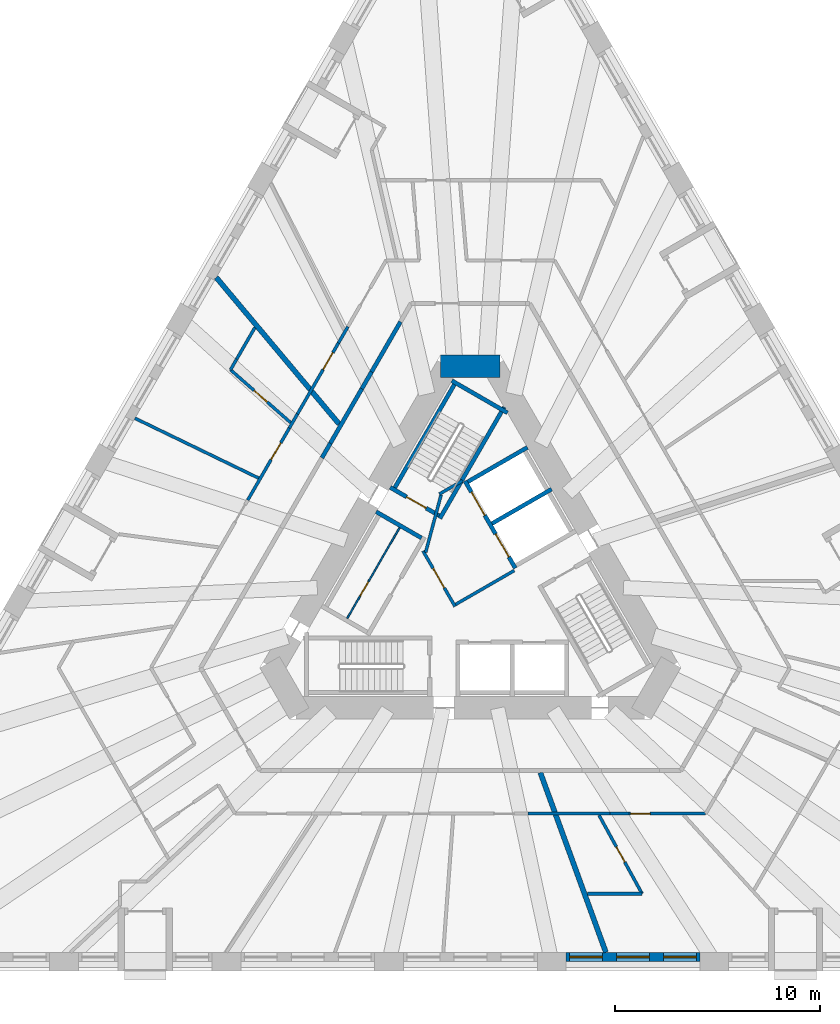
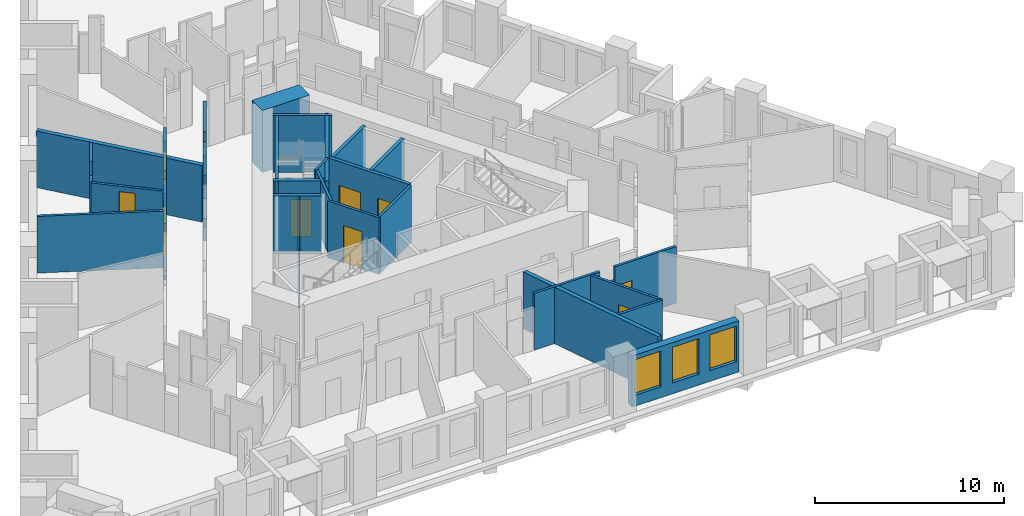
# One storey, part 5 of 14: 34 walls, 10 doors, 3 windows, 13 openings.
"""IFC4 building model written with IfcOpenShell, lengths in metres."""

from ifc_helpers import new_model, si_unit, direction, frame, frame_2d, origin, place, context, subcontext, project, spatial, rectangle, extrude, material, layer, layer_set, type_object, element, fill, save


model = new_model("IFC4")

# Units and contexts
model_context = context("Model", 3, precision=1e-05, world=origin(), true_north=direction((0.0, 1.0)))
body_context = subcontext(model_context, "Body", "Model", "MODEL_VIEW")
ifc_project = project(units=[si_unit("LENGTHUNIT", "METRE"), si_unit("AREAUNIT", "SQUARE_METRE"), si_unit("VOLUMEUNIT", "CUBIC_METRE"), si_unit("PLANEANGLEUNIT", "RADIAN"), si_unit("MASSUNIT", "GRAM", prefix="KILO")], contexts=[model_context])

# Site, building, storey
site_placement = place(None, origin())
site = spatial("IfcSite", under=ifc_project, at=site_placement, CompositionType="ELEMENT")
building_placement = place(site_placement, origin())
building = spatial("IfcBuilding", under=site, at=building_placement, Name="Tramontana Tower", CompositionType="ELEMENT")
storey_placement = place(building_placement, frame((0.0, 0.0, 42.0)))
storey = spatial("IfcBuildingStorey", under=building, at=storey_placement, Name="L08", CompositionType="ELEMENT", Elevation=42.0)

# Walls
ifc_material_1 = material(Name="Concrete 70 MPa", Category="concrete")
ifc_layer_1 = layer(ifc_material_1, 1.10009765625)
ifc_layer_set_1 = layer_set([ifc_layer_1], Name="Core wall 1100 70 MPa")
wall_type_1 = type_object("IfcWallType", Name="Core wall 1100 70 MPa", PredefinedType="SHEAR", material=ifc_layer_set_1)
wall_1_placement = place(storey_placement, frame((1.443359375, 10.449951171875, 0.0), z_axis=(0.0, 0.0, 1.0), x_axis=(-1.0, 0.0, 0.0)))
element("IfcWall", 1, at=wall_1_placement, inside=storey, type_object=wall_type_1, Name="Core wall C0 L08", PredefinedType="SHEAR", context=body_context, shape_type="SweptSolid", body=[
    extrude(rectangle(XDim=2.88671875, YDim=1.10009765625, at=frame_2d((1.443359375, 0.0))), origin(), (0.0, 0.0, 1.0), 4.0),
])
ifc_material_2 = material(Name="Blockwork", Category="masonry")
ifc_layer_2 = layer(ifc_material_2, 0.199951171875)
ifc_layer_set_2 = layer_set([ifc_layer_2], Name="ENTRY WALL 200")
wall_type_2 = type_object("IfcWallType", Name="ENTRY WALL 200", PredefinedType="SOLIDWALL", material=ifc_layer_set_2)
wall_2_placement = place(storey_placement, frame((-7.228271484375, 5.98046875, 0.0), z_axis=(0.0, 0.0, 1.0), x_axis=(0.500118501653, 0.865956976012, 0.0)))
element("IfcWall", 2, at=wall_2_placement, inside=storey, type_object=wall_type_2, Name="Wall v02-ew4-6", PredefinedType="SOLIDWALL", context=body_context, shape_type="SweptSolid", body=[
    extrude(rectangle(XDim=0.818115234375, YDim=0.199951171875, at=frame_2d((0.4091796875, 0.0))), origin(), (0.0, 0.0, 1.0), 2.75),
])
wall_3_placement = place(storey_placement, frame((-6.819091796875, 6.68896484375, 0.0), z_axis=(0.0, 0.0, 1.0), x_axis=(0.499952348839, 0.866052913447, 0.0)))
element("IfcWall", 3, at=wall_3_placement, inside=storey, type_object=wall_type_2, Name="Wall v02-ew4-7", PredefinedType="SOLIDWALL", context=body_context, shape_type="SweptSolid", body=[
    extrude(rectangle(XDim=3.064208984375, YDim=0.199951171875, at=frame_2d((1.5322265625, 0.0))), origin(), (0.0, 0.0, 1.0), 3.64990234375),
])
wall_4_placement = place(storey_placement, frame((-5.287109375, 9.3427734375, 0.0), z_axis=(0.0, 0.0, 1.0), x_axis=(0.500174821557, 0.865924446982, 0.0)))
element("IfcWall", 4, at=wall_4_placement, inside=storey, type_object=wall_type_2, Name="Wall v02-ew4-8", PredefinedType="SOLIDWALL", context=body_context, shape_type="SweptSolid", body=[
    extrude(rectangle(XDim=0.949951171875, YDim=0.199951171875, at=frame_2d((0.47509765625, 0.0))), origin(), (0.0, 0.0, 1.0), 2.75),
])
wall_5_placement = place(storey_placement, frame((-4.81201171875, 10.165283203125, 0.0), z_axis=(0.0, 0.0, 1.0), x_axis=(0.500000186108, 0.866025296335, 0.0)))
element("IfcWall", 5, at=wall_5_placement, inside=storey, type_object=wall_type_2, Name="Wall v02-ew4-9", PredefinedType="SOLIDWALL", context=body_context, shape_type="SweptSolid", body=[
    extrude(rectangle(XDim=2.8154296875, YDim=0.199951171875, at=frame_2d((1.40771484375, 0.0))), origin(), (0.0, 0.0, 1.0), 3.64990234375),
])

# Wall, openings, windows
ifc_material_3 = material(Name="Precast concrete 60 MPa", Category="concrete")
ifc_layer_3 = layer(ifc_material_3, 0.449951171875)
ifc_layer_set_3 = layer_set([ifc_layer_3], Name="Precast concrete 60 MPa, 450 mm")
wall_type_3 = type_object("IfcWallType", Name="EW1 Stone-faced precast wall 450", PredefinedType="SOLIDWALL", material=ifc_layer_set_3)
wall_6_placement = place(storey_placement, frame((4.658935546875, -18.324951171875, 0.0), z_axis=(0.0, 0.0, 1.0), x_axis=(1.0, 0.0, 0.0)))
wall_6 = element("IfcWall", 6, at=wall_6_placement, inside=storey, type_object=wall_type_3, Name="External wall L08 face 1 bay 5", PredefinedType="SOLIDWALL", context=body_context, shape_type="SweptSolid", body=[
    extrude(rectangle(XDim=6.51806640625, YDim=0.449951171875, at=frame_2d((3.259033203125, 0.0))), origin(), (0.0, 0.0, 1.0), 3.300048828125),
])
opening_1_placement = place(wall_6_placement, frame((0.169677734375, 0.0, 0.699951171875)))
opening_1 = element("IfcOpeningElement", 7, at=opening_1_placement, cuts=wall_6, Name="Opening M1", PredefinedType="OPENING", context=body_context, shape_type="SweptSolid", body=[
    extrude(rectangle(XDim=1.60009765625, YDim=2.300048828125, at=frame_2d((0.800048828125, 1.14990234375))), frame((0.0, 0.23486328125, 0.0), z_axis=(0.0, -1.0, 0.0), x_axis=(1.0, 0.0, 0.0)), (0.0, 0.0, 1.0), 0.469970703125),
])
opening_2_placement = place(wall_6_placement, frame((2.458984375, 0.0, 0.699951171875)))
opening_2 = element("IfcOpeningElement", 8, at=opening_2_placement, cuts=wall_6, Name="Opening M1", PredefinedType="OPENING", context=body_context, shape_type="SweptSolid", body=[
    extrude(rectangle(XDim=1.60009765625, YDim=2.300048828125, at=frame_2d((0.800048828125, 1.14990234375))), frame((0.0, 0.23486328125, 0.0), z_axis=(0.0, -1.0, 0.0), x_axis=(1.0, 0.0, 0.0)), (0.0, 0.0, 1.0), 0.469970703125),
])
opening_3_placement = place(wall_6_placement, frame((4.748291015625, 0.0, 0.699951171875)))
opening_3 = element("IfcOpeningElement", 9, at=opening_3_placement, cuts=wall_6, Name="Opening M1", PredefinedType="OPENING", context=body_context, shape_type="SweptSolid", body=[
    extrude(rectangle(XDim=1.60009765625, YDim=2.300048828125, at=frame_2d((0.800048828125, 1.14990234375))), frame((0.0, 0.23486328125, 0.0), z_axis=(0.0, -1.0, 0.0), x_axis=(1.0, 0.0, 0.0)), (0.0, 0.0, 1.0), 0.469970703125),
])
ifc_material_4 = material(Name="Aluminum frame, double glazing unit", Category="aluminium")
window_type = type_object("IfcWindowType", Name="M1 Window 1.6 x 2.3", PartitioningType="SINGLE_PANEL", PredefinedType="WINDOW", material=ifc_material_4)
window_1_placement = place(opening_1_placement, origin())
window_1 = element("IfcWindow", 10, at=window_1_placement, inside=storey, type_object=window_type, Name="Window M1 L08 face 1 module 13", OverallHeight=2.300048828125, OverallWidth=1.60009765625, PartitioningType="SINGLE_PANEL", PredefinedType="WINDOW", context=body_context, shape_type="SweptSolid", body=[
    extrude(rectangle(XDim=1.60009765625, YDim=2.300048828125, at=frame_2d((0.800048828125, 1.14990234375))), frame((0.0, 0.030029296875, 0.0), z_axis=(0.0, -1.0, 0.0), x_axis=(1.0, 0.0, 0.0)), (0.0, 0.0, 1.0), 0.06005859375),
])
fill(opening_1, window_1)
window_2_placement = place(opening_2_placement, origin())
window_2 = element("IfcWindow", 11, at=window_2_placement, inside=storey, type_object=window_type, Name="Window M1 L08 face 1 module 14", OverallHeight=2.300048828125, OverallWidth=1.60009765625, PartitioningType="SINGLE_PANEL", PredefinedType="WINDOW", context=body_context, shape_type="SweptSolid", body=[
    extrude(rectangle(XDim=1.60009765625, YDim=2.300048828125, at=frame_2d((0.800048828125, 1.14990234375))), frame((0.0, 0.030029296875, 0.0), z_axis=(0.0, -1.0, 0.0), x_axis=(1.0, 0.0, 0.0)), (0.0, 0.0, 1.0), 0.06005859375),
])
fill(opening_2, window_2)
window_3_placement = place(opening_3_placement, origin())
window_3 = element("IfcWindow", 12, at=window_3_placement, inside=storey, type_object=window_type, Name="Window M1 L08 face 1 module 15", OverallHeight=2.300048828125, OverallWidth=1.60009765625, PartitioningType="SINGLE_PANEL", PredefinedType="WINDOW", context=body_context, shape_type="SweptSolid", body=[
    extrude(rectangle(XDim=1.60009765625, YDim=2.300048828125, at=frame_2d((0.800048828125, 1.14990234375))), frame((0.0, 0.030029296875, 0.0), z_axis=(0.0, -1.0, 0.0), x_axis=(1.0, 0.0, 0.0)), (0.0, 0.0, 1.0), 0.06005859375),
])
fill(opening_3, window_3)

# Wall, opening, door
ifc_material_5 = material(Name="Gypsum board partition")
ifc_layer_4 = layer(ifc_material_5, 0.14990234375)
ifc_layer_set_4 = layer_set([ifc_layer_4], Name="PARTITION 150")
wall_type_4 = type_object("IfcWallType", Name="PARTITION 150", PredefinedType="PARTITIONING", material=ifc_layer_set_4)
wall_7_placement = place(storey_placement, frame((-0.744140625, -1.260986328125, 0.0), z_axis=(0.0, 0.0, 1.0), x_axis=(-0.500004234368, 0.866022959057, 0.0)))
wall_7 = element("IfcWall", 13, at=wall_7_placement, inside=storey, type_object=wall_type_4, Name="Wall ff-front", PredefinedType="PARTITIONING", context=body_context, shape_type="SweptSolid", body=[
    extrude(rectangle(XDim=3.125, YDim=0.14990234375, at=frame_2d((1.5625, 0.0))), origin(), (0.0, 0.0, 1.0), 3.64990234375),
])
opening_4_placement = place(wall_7_placement, frame((1.050048828125, 0.0, 0.0)))
opening_4 = element("IfcOpeningElement", 14, at=opening_4_placement, cuts=wall_7, Name="Opening FD1", PredefinedType="OPENING", context=body_context, shape_type="SweptSolid", body=[
    extrude(rectangle(XDim=1.10009765625, YDim=2.39990234375, at=frame_2d((0.550048828125, 1.199951171875))), frame((0.0, 0.0849609375, 0.0), z_axis=(0.0, -1.0, 0.0), x_axis=(1.0, 0.0, 0.0)), (0.0, 0.0, 1.0), 0.169921875),
])
ifc_material_6 = material(Name="Painted timber", Category="wood")
door_type_1 = type_object("IfcDoorType", Name="DOOR ENTRY 1100", OperationType="SINGLE_SWING_LEFT", PredefinedType="DOOR", material=ifc_material_6)
door_1_placement = place(opening_4_placement, origin())
door_1 = element("IfcDoor", 15, at=door_1_placement, inside=storey, type_object=door_type_1, Name="Door FD1", OperationType="SINGLE_SWING_LEFT", OverallHeight=2.39990234375, OverallWidth=1.10009765625, PredefinedType="DOOR", context=body_context, shape_type="SweptSolid", body=[
    extrude(rectangle(XDim=1.10009765625, YDim=2.39990234375, at=frame_2d((0.550048828125, 1.199951171875))), frame((0.0, 0.02490234375, 0.0), z_axis=(0.0, -1.0, 0.0), x_axis=(1.0, 0.0, 0.0)), (0.0, 0.0, 1.0), 0.050048828125),
])
fill(opening_4, door_1)

# Walls
wall_8_placement = place(storey_placement, frame((-0.716796875, -1.15869140625, 0.0), z_axis=(0.0, 0.0, 1.0), x_axis=(0.866008176907, 0.50002983664, 0.0)))
element("IfcWall", 16, at=wall_8_placement, inside=storey, type_object=wall_type_4, Name="Wall ff-end0", PredefinedType="PARTITIONING", context=body_context, shape_type="SweptSolid", body=[
    extrude(rectangle(XDim=3.300048828125, YDim=0.14990234375, at=frame_2d((1.64990234375, 0.0))), origin(), (0.0, 0.0, 1.0), 3.64990234375),
])
wall_9_placement = place(storey_placement, frame((-2.177978515625, 1.372314453125, 0.0), z_axis=(0.0, 0.0, 1.0), x_axis=(0.258808958833, 0.96592852884, 0.0)))
element("IfcWall", 17, at=wall_9_placement, inside=storey, type_object=wall_type_4, Name="Wall ff-diag", PredefinedType="PARTITIONING", context=body_context, shape_type="SweptSolid", body=[
    extrude(rectangle(XDim=2.902587890625, YDim=0.14990234375, at=frame_2d((1.451171875, 0.0))), origin(), (0.0, 0.0, 1.0), 3.64990234375),
])
wall_10_placement = place(storey_placement, frame((-1.509765625, 4.21484375, 0.0), z_axis=(0.0, 0.0, 1.0), x_axis=(0.866085525409, 0.49989585183, 0.0)))
element("IfcWall", 18, at=wall_10_placement, inside=storey, type_object=wall_type_4, Name="Wall ff-end1", PredefinedType="PARTITIONING", context=body_context, shape_type="SweptSolid", body=[
    extrude(rectangle(XDim=1.300048828125, YDim=0.14990234375, at=frame_2d((0.64990234375, 0.0))), origin(), (0.0, 0.0, 1.0), 3.64990234375),
])
wall_11_placement = place(storey_placement, frame((-16.3349609375, 7.9072265625, 0.0), z_axis=(0.0, 0.0, 1.0), x_axis=(0.900095112933, -0.435693456084, 0.0)))
element("IfcWall", 19, at=wall_11_placement, inside=storey, type_object=wall_type_4, Name="Wall v02-pw06", PredefinedType="PARTITIONING", context=body_context, shape_type="SweptSolid", body=[
    extrude(rectangle(XDim=6.69287109375, YDim=0.14990234375, at=frame_2d((3.346435546875, 0.0))), origin(), (0.0, 0.0, 1.0), 3.64990234375),
])

# Wall, opening, door
wall_12_placement = place(storey_placement, frame((-10.842529296875, 3.92041015625, 0.0), z_axis=(0.0, 0.0, 1.0), x_axis=(0.500007556608, 0.866021040931, 0.0)))
wall_12 = element("IfcWall", 20, at=wall_12_placement, inside=storey, type_object=wall_type_4, Name="Wall v02-pw08-4", PredefinedType="PARTITIONING", context=body_context, shape_type="SweptSolid", body=[
    extrude(rectangle(XDim=4.05224609375, YDim=0.14990234375, at=frame_2d((2.026123046875, 0.0))), origin(), (0.0, 0.0, 1.0), 3.64990234375),
])
opening_5_placement = place(wall_12_placement, frame((2.272705078125, 0.0, 0.0)))
opening_5 = element("IfcOpeningElement", 21, at=opening_5_placement, cuts=wall_12, Name="Opening B0C-14", PredefinedType="OPENING", context=body_context, shape_type="SweptSolid", body=[
    extrude(rectangle(XDim=0.949951171875, YDim=2.39990234375, at=frame_2d((0.47509765625, 1.199951171875))), frame((0.0, 0.0849609375, 0.0), z_axis=(0.0, -1.0, 0.0), x_axis=(1.0, 0.0, 0.0)), (0.0, 0.0, 1.0), 0.169921875),
])
ifc_material_7 = material(Name="Painted timber", Category="wood")
door_type_2 = type_object("IfcDoorType", Name="DOOR ROOM 950", OperationType="SINGLE_SWING_LEFT", PredefinedType="DOOR", material=ifc_material_7)
door_2_placement = place(opening_5_placement, origin())
door_2 = element("IfcDoor", 22, at=door_2_placement, inside=storey, type_object=door_type_2, Name="Door B0C-14", OperationType="SINGLE_SWING_RIGHT", OverallHeight=2.39990234375, OverallWidth=0.949951171875, PredefinedType="DOOR", context=body_context, shape_type="SweptSolid", body=[
    extrude(rectangle(XDim=0.949951171875, YDim=2.39990234375, at=frame_2d((0.47509765625, 1.199951171875))), frame((0.0, 0.02490234375, 0.0), z_axis=(0.0, -1.0, 0.0), x_axis=(1.0, 0.0, 0.0)), (0.0, 0.0, 1.0), 0.050048828125),
])
fill(opening_5, door_2)

# Wall
wall_13_placement = place(storey_placement, frame((-8.81640625, 7.4296875, 0.0), z_axis=(0.0, 0.0, 1.0), x_axis=(0.500015802937, 0.866016279763, 0.0)))
element("IfcWall", 23, at=wall_13_placement, inside=storey, type_object=wall_type_4, Name="Wall v02-pw08-5", PredefinedType="PARTITIONING", context=body_context, shape_type="SweptSolid", body=[
    extrude(rectangle(XDim=0.79248046875, YDim=0.14990234375, at=frame_2d((0.396240234375, 0.0))), origin(), (0.0, 0.0, 1.0), 2.75),
])

# Wall, opening, door
wall_14_placement = place(storey_placement, frame((-8.420166015625, 8.115966796875, 0.0), z_axis=(0.0, 0.0, 1.0), x_axis=(0.500010364181, 0.866019419939, 0.0)))
wall_14 = element("IfcWall", 24, at=wall_14_placement, inside=storey, type_object=wall_type_4, Name="Wall v02-pw08-6", PredefinedType="PARTITIONING", context=body_context, shape_type="SweptSolid", body=[
    extrude(rectangle(XDim=3.98828125, YDim=0.14990234375, at=frame_2d((1.994140625, 0.0))), origin(), (0.0, 0.0, 1.0), 3.64990234375),
])
opening_6_placement = place(wall_14_placement, frame((2.500244140625, 0.0, 0.0)))
opening_6 = element("IfcOpeningElement", 25, at=opening_6_placement, cuts=wall_14, Name="Opening B0C-08", PredefinedType="OPENING", context=body_context, shape_type="SweptSolid", body=[
    extrude(rectangle(XDim=0.949951171875, YDim=2.39990234375, at=frame_2d((0.47509765625, 1.199951171875))), frame((0.0, 0.0849609375, 0.0), z_axis=(0.0, -1.0, 0.0), x_axis=(1.0, 0.0, 0.0)), (0.0, 0.0, 1.0), 0.169921875),
])
door_3_placement = place(opening_6_placement, origin())
door_3 = element("IfcDoor", 26, at=door_3_placement, inside=storey, type_object=door_type_2, Name="Door B0C-08", OperationType="SINGLE_SWING_RIGHT", OverallHeight=2.39990234375, OverallWidth=0.949951171875, PredefinedType="DOOR", context=body_context, shape_type="SweptSolid", body=[
    extrude(rectangle(XDim=0.949951171875, YDim=2.39990234375, at=frame_2d((0.47509765625, 1.199951171875))), frame((0.0, 0.02490234375, 0.0), z_axis=(0.0, -1.0, 0.0), x_axis=(1.0, 0.0, 0.0)), (0.0, 0.0, 1.0), 0.050048828125),
])
fill(opening_6, door_3)

# Walls
wall_15_placement = place(storey_placement, frame((-6.426025390625, 11.56982421875, 0.0), z_axis=(0.0, 0.0, 1.0), x_axis=(0.499990325971, 0.866030989016, 0.0)))
element("IfcWall", 27, at=wall_15_placement, inside=storey, type_object=wall_type_4, Name="Wall v02-pw08-7", PredefinedType="PARTITIONING", context=body_context, shape_type="SweptSolid", body=[
    extrude(rectangle(XDim=0.92041015625, YDim=0.14990234375, at=frame_2d((0.460205078125, 0.0))), origin(), (0.0, 0.0, 1.0), 2.75),
])
wall_16_placement = place(storey_placement, frame((-11.68115234375, 10.267578125, 0.0), z_axis=(0.0, 0.0, 1.0), x_axis=(0.499992664208, 0.866029639064, 0.0)))
element("IfcWall", 28, at=wall_16_placement, inside=storey, type_object=wall_type_4, Name="Wall v02-pw13-0", PredefinedType="PARTITIONING", context=body_context, shape_type="SweptSolid", body=[
    extrude(rectangle(XDim=0.599609375, YDim=0.14990234375, at=frame_2d((0.2998046875, 0.0))), origin(), (0.0, 0.0, 1.0), 2.75),
])
wall_17_placement = place(storey_placement, frame((-11.38134765625, 10.786865234375, 0.0), z_axis=(0.0, 0.0, 1.0), x_axis=(0.50004387232, 0.866000072607, 0.0)))
element("IfcWall", 29, at=wall_17_placement, inside=storey, type_object=wall_type_4, Name="Wall v02-pw13-1", PredefinedType="PARTITIONING", context=body_context, shape_type="SweptSolid", body=[
    extrude(rectangle(XDim=1.775146484375, YDim=0.14990234375, at=frame_2d((0.8876953125, 0.0))), origin(), (0.0, 0.0, 1.0), 3.64990234375),
])

# Wall, opening, door
wall_18_placement = place(storey_placement, frame((-11.68115234375, 10.267578125, 0.0), z_axis=(0.0, 0.0, 1.0), x_axis=(0.751113172237, -0.660173463941, 0.0)))
wall_18 = element("IfcWall", 30, at=wall_18_placement, inside=storey, type_object=wall_type_4, Name="Wall v02-pw15-0", PredefinedType="PARTITIONING", context=body_context, shape_type="SweptSolid", body=[
    extrude(rectangle(XDim=3.90087890625, YDim=0.14990234375, at=frame_2d((1.950439453125, 0.0))), origin(), (0.0, 0.0, 1.0), 2.75),
])
opening_7_placement = place(wall_18_placement, frame((1.525390625, 0.0, 0.0)))
opening_7 = element("IfcOpeningElement", 31, at=opening_7_placement, cuts=wall_18, Name="Opening B0C-19", PredefinedType="OPENING", context=body_context, shape_type="SweptSolid", body=[
    extrude(rectangle(XDim=0.85009765625, YDim=2.39990234375, at=frame_2d((0.425048828125, 1.199951171875))), frame((0.0, 0.0849609375, 0.0), z_axis=(0.0, -1.0, 0.0), x_axis=(1.0, 0.0, 0.0)), (0.0, 0.0, 1.0), 0.169921875),
])
ifc_material_8 = material(Name="Painted timber", Category="wood")
door_type_3 = type_object("IfcDoorType", Name="DOOR BATH 850", OperationType="SINGLE_SWING_LEFT", PredefinedType="DOOR", material=ifc_material_8)
door_4_placement = place(opening_7_placement, origin())
door_4 = element("IfcDoor", 32, at=door_4_placement, inside=storey, type_object=door_type_3, Name="Door B0C-19", OperationType="SINGLE_SWING_LEFT", OverallHeight=2.39990234375, OverallWidth=0.85009765625, PredefinedType="DOOR", context=body_context, shape_type="SweptSolid", body=[
    extrude(rectangle(XDim=0.85009765625, YDim=2.39990234375, at=frame_2d((0.425048828125, 1.199951171875))), frame((0.0, 0.02490234375, 0.0), z_axis=(0.0, -1.0, 0.0), x_axis=(1.0, 0.0, 0.0)), (0.0, 0.0, 1.0), 0.050048828125),
])
fill(opening_7, door_4)

wall_19_placement = place(storey_placement, frame((8.364013671875, -15.25, 0.0), z_axis=(0.0, 0.0, 1.0), x_axis=(-0.480850654198, 0.876802513887, 0.0)))
wall_19 = element("IfcWall", 33, at=wall_19_placement, inside=storey, type_object=wall_type_4, Name="Wall v02-pw32", PredefinedType="PARTITIONING", context=body_context, shape_type="SweptSolid", body=[
    extrude(rectangle(XDim=4.3623046875, YDim=0.14990234375, at=frame_2d((2.18115234375, 0.0))), origin(), (0.0, 0.0, 1.0), 3.64990234375),
])
opening_8_placement = place(wall_19_placement, frame((1.75634765625, 0.0, 0.0)))
opening_8 = element("IfcOpeningElement", 34, at=opening_8_placement, cuts=wall_19, Name="Opening B0C-26", PredefinedType="OPENING", context=body_context, shape_type="SweptSolid", body=[
    extrude(rectangle(XDim=0.85009765625, YDim=2.39990234375, at=frame_2d((0.425048828125, 1.199951171875))), frame((0.0, 0.0849609375, 0.0), z_axis=(0.0, -1.0, 0.0), x_axis=(1.0, 0.0, 0.0)), (0.0, 0.0, 1.0), 0.169921875),
])
door_5_placement = place(opening_8_placement, origin())
door_5 = element("IfcDoor", 35, at=door_5_placement, inside=storey, type_object=door_type_3, Name="Door B0C-26", OperationType="SINGLE_SWING_RIGHT", OverallHeight=2.39990234375, OverallWidth=0.85009765625, PredefinedType="DOOR", context=body_context, shape_type="SweptSolid", body=[
    extrude(rectangle(XDim=0.85009765625, YDim=2.39990234375, at=frame_2d((0.425048828125, 1.199951171875))), frame((0.0, 0.02490234375, 0.0), z_axis=(0.0, -1.0, 0.0), x_axis=(1.0, 0.0, 0.0)), (0.0, 0.0, 1.0), 0.050048828125),
])
fill(opening_8, door_5)

# Wall
wall_20_placement = place(storey_placement, frame((8.364013671875, -15.25, 0.0), z_axis=(0.0, 0.0, 1.0), x_axis=(-1.0, 0.0, 0.0)))
element("IfcWall", 36, at=wall_20_placement, inside=storey, type_object=wall_type_4, Name="Wall v02-pw34", PredefinedType="PARTITIONING", context=body_context, shape_type="SweptSolid", body=[
    extrude(rectangle(XDim=2.671630859375, YDim=0.14990234375, at=frame_2d((1.3359375, 0.0))), origin(), (0.0, 0.0, 1.0), 3.64990234375),
])

# Wall, opening, door
wall_21_placement = place(storey_placement, frame((11.46044921875, -11.35009765625, 0.0), z_axis=(0.0, 0.0, 1.0), x_axis=(-1.0, 0.0, 0.0)))
wall_21 = element("IfcWall", 37, at=wall_21_placement, inside=storey, type_object=wall_type_4, Name="Wall v02-pw37-0", PredefinedType="PARTITIONING", context=body_context, shape_type="SweptSolid", body=[
    extrude(rectangle(XDim=3.7333984375, YDim=0.14990234375, at=frame_2d((1.86669921875, 0.0))), origin(), (0.0, 0.0, 1.0), 3.64990234375),
])
opening_9_placement = place(wall_21_placement, frame((2.70751953125, 0.0, 0.0)))
opening_9 = element("IfcOpeningElement", 38, at=opening_9_placement, cuts=wall_21, Name="Opening B0C-23", PredefinedType="OPENING", context=body_context, shape_type="SweptSolid", body=[
    extrude(rectangle(XDim=0.949951171875, YDim=2.39990234375, at=frame_2d((0.47509765625, 1.199951171875))), frame((0.0, 0.0849609375, 0.0), z_axis=(0.0, -1.0, 0.0), x_axis=(1.0, 0.0, 0.0)), (0.0, 0.0, 1.0), 0.169921875),
])
door_6_placement = place(opening_9_placement, origin())
door_6 = element("IfcDoor", 39, at=door_6_placement, inside=storey, type_object=door_type_2, Name="Door B0C-23", OperationType="SINGLE_SWING_LEFT", OverallHeight=2.39990234375, OverallWidth=0.949951171875, PredefinedType="DOOR", context=body_context, shape_type="SweptSolid", body=[
    extrude(rectangle(XDim=0.949951171875, YDim=2.39990234375, at=frame_2d((0.47509765625, 1.199951171875))), frame((0.0, 0.02490234375, 0.0), z_axis=(0.0, -1.0, 0.0), x_axis=(1.0, 0.0, 0.0)), (0.0, 0.0, 1.0), 0.050048828125),
])
fill(opening_9, door_6)

# Walls
wall_22_placement = place(storey_placement, frame((7.72705078125, -11.35009765625, 0.0), z_axis=(0.0, 0.0, 1.0), x_axis=(-1.0, 0.0, 0.0)))
element("IfcWall", 40, at=wall_22_placement, inside=storey, type_object=wall_type_4, Name="Wall v02-pw37-1", PredefinedType="PARTITIONING", context=body_context, shape_type="SweptSolid", body=[
    extrude(rectangle(XDim=0.920166015625, YDim=0.14990234375, at=frame_2d((0.4599609375, 0.0))), origin(), (0.0, 0.0, 1.0), 2.75),
])
wall_23_placement = place(storey_placement, frame((6.806884765625, -11.35009765625, 0.0), z_axis=(0.0, 0.0, 1.0), x_axis=(-1.0, 0.0, 0.0)))
element("IfcWall", 41, at=wall_23_placement, inside=storey, type_object=wall_type_4, Name="Wall v02-pw37-2", PredefinedType="PARTITIONING", context=body_context, shape_type="SweptSolid", body=[
    extrude(rectangle(XDim=3.98828125, YDim=0.14990234375, at=frame_2d((1.994140625, 0.0))), origin(), (0.0, 0.0, 1.0), 3.64990234375),
])

# Wall, opening, door
ifc_material_9 = material(Name="Gypsum board partition")
ifc_layer_5 = layer(ifc_material_9, 0.080078125)
ifc_layer_set_5 = layer_set([ifc_layer_5], Name="PARTITION 80")
wall_type_5 = type_object("IfcWallType", Name="PARTITION 80", PredefinedType="PARTITIONING", material=ifc_layer_set_5)
wall_24_placement = place(storey_placement, frame((-5.997314453125, -1.837646484375, 0.0), z_axis=(0.0, 0.0, 1.0), x_axis=(0.500005610874, 0.86602216432, 0.0)))
wall_24 = element("IfcWall", 42, at=wall_24_placement, inside=storey, type_object=wall_type_5, Name="Wall row0-split", PredefinedType="PARTITIONING", context=body_context, shape_type="SweptSolid", body=[
    extrude(rectangle(XDim=5.10009765625, YDim=0.080078125, at=frame_2d((2.550048828125, 0.0))), origin(), (0.0, 0.0, 1.0), 3.64990234375),
])
opening_10_placement = place(wall_24_placement, frame((1.25, 0.0, 0.0)))
opening_10 = element("IfcOpeningElement", 43, at=opening_10_placement, cuts=wall_24, Name="Opening RD-0B", PredefinedType="OPENING", context=body_context, shape_type="SweptSolid", body=[
    extrude(rectangle(XDim=0.800048828125, YDim=2.10009765625, at=frame_2d((0.39990234375, 1.050048828125))), frame((0.0, 0.050048828125, 0.0), z_axis=(0.0, -1.0, 0.0), x_axis=(1.0, 0.0, 0.0)), (0.0, 0.0, 1.0), 0.10009765625),
])
ifc_material_10 = material(Name="Painted steel", Category="steel")
door_type_4 = type_object("IfcDoorType", Name="CUPBOARD DOOR 800", OperationType="SINGLE_SWING_LEFT", PredefinedType="DOOR", material=ifc_material_10)
door_7_placement = place(opening_10_placement, origin())
door_7 = element("IfcDoor", 44, at=door_7_placement, inside=storey, type_object=door_type_4, Name="Door RD-0B", OperationType="SINGLE_SWING_RIGHT", OverallHeight=2.10009765625, OverallWidth=0.800048828125, PredefinedType="DOOR", context=body_context, shape_type="SweptSolid", body=[
    extrude(rectangle(XDim=0.800048828125, YDim=2.10009765625, at=frame_2d((0.39990234375, 1.050048828125))), frame((0.0, 0.02490234375, 0.0), z_axis=(0.0, -1.0, 0.0), x_axis=(1.0, 0.0, 0.0)), (0.0, 0.0, 1.0), 0.050048828125),
])
fill(opening_10, door_7)

# Walls
ifc_material_11 = material(Name="Blockwork", Category="masonry")
ifc_layer_6 = layer(ifc_material_11, 0.25)
ifc_layer_set_6 = layer_set([ifc_layer_6], Name="PARTY WALL 250")
wall_type_6 = type_object("IfcWallType", Name="PARTY WALL 250", PredefinedType="SOLIDWALL", material=ifc_layer_set_6)
for number, where, z_axis, x_axis, name in (
    (45, (-6.39306640625, 7.626953125, 0.0), (0.0, 0.0, 1.0), (-0.642401756601, 0.766368046774, 0.0), "Wall v02-pw17"),
    (46, (3.408447265625, -9.35009765625, 0.0), (0.0, 0.0, 1.0), (0.3425132981, -0.939512980552, 0.0), "Wall v02-pw30"),
):
    element("IfcWall", number, at=place(storey_placement, frame(where, z_axis=z_axis, x_axis=x_axis)), inside=storey, type_object=wall_type_6, Name=name, PredefinedType="SOLIDWALL", context=body_context, shape_type="SweptSolid", body=[
        extrude(rectangle(XDim=9.313232421875, YDim=0.25, at=frame_2d((4.65673828125, 0.0))), origin(), (0.0, 0.0, 1.0), 3.64990234375),
    ])
ifc_material_12 = material(Name="Concrete 70 MPa", Category="concrete")
ifc_layer_7 = layer(ifc_material_12, 0.199951171875)
ifc_layer_set_7 = layer_set([ifc_layer_7], Name="Concrete 70 MPa, 200 mm")
wall_type_7 = type_object("IfcWallType", Name="RC SHAFT BACK WALL 200", PredefinedType="SOLIDWALL", material=ifc_layer_set_7)
wall_25_placement = place(storey_placement, frame((-0.679931640625, 9.722412109375, 0.0), z_axis=(0.0, 0.0, 1.0), x_axis=(-0.49998037582, -0.866036733513, 0.0)))
element("IfcWall", 47, at=wall_25_placement, inside=storey, type_object=wall_type_7, Name="Wall st1-back", PredefinedType="SOLIDWALL", context=body_context, shape_type="SweptSolid", body=[
    extrude(rectangle(XDim=6.199951171875, YDim=0.199951171875, at=frame_2d((3.10009765625, 0.0))), origin(), (0.0, 0.0, 1.0), 3.64990234375),
])
ifc_material_13 = material(Name="Concrete 70 MPa", Category="concrete")
ifc_layer_8 = layer(ifc_material_13, 0.199951171875)
ifc_layer_set_8 = layer_set([ifc_layer_8], Name="Concrete 70 MPa, 200 mm")
wall_type_8 = type_object("IfcWallType", Name="RC STAIR AND SHAFT WALL 200", PredefinedType="SOLIDWALL", material=ifc_layer_set_8)
wall_26_placement = place(storey_placement, frame((1.6455078125, 8.449951171875, 0.0), z_axis=(0.0, 0.0, 1.0), x_axis=(-0.500006002103, -0.866021938441, 0.0)))
element("IfcWall", 48, at=wall_26_placement, inside=storey, type_object=wall_type_8, Name="Wall st1-front", PredefinedType="SOLIDWALL", context=body_context, shape_type="SweptSolid", body=[
    extrude(rectangle(XDim=6.2607421875, YDim=0.199951171875, at=frame_2d((3.13037109375, 0.0))), origin(), (0.0, 0.0, 1.0), 3.64990234375),
])
wall_27_placement = place(storey_placement, frame((1.80615234375, 8.171875, 0.0), z_axis=(0.0, 0.0, 1.0), x_axis=(-0.866054327916, 0.499949898588, 0.0)))
element("IfcWall", 49, at=wall_27_placement, inside=storey, type_object=wall_type_8, Name="Wall st1-far", PredefinedType="SOLIDWALL", context=body_context, shape_type="SweptSolid", body=[
    extrude(rectangle(XDim=3.128173828125, YDim=0.199951171875, at=frame_2d((1.56396484375, 0.0))), origin(), (0.0, 0.0, 1.0), 3.64990234375),
])

# Wall, opening, door
wall_28_placement = place(storey_placement, frame((-1.521484375, 3.164794921875, 0.0), z_axis=(0.0, 0.0, 1.0), x_axis=(-0.866027397988, 0.499996545922, 0.0)))
wall_28 = element("IfcWall", 50, at=wall_28_placement, inside=storey, type_object=wall_type_8, Name="Wall st1-near", PredefinedType="SOLIDWALL", context=body_context, shape_type="SweptSolid", body=[
    extrude(rectangle(XDim=2.75, YDim=0.199951171875, at=frame_2d((1.375, 0.0))), origin(), (0.0, 0.0, 1.0), 3.64990234375),
])
opening_11_placement = place(wall_28_placement, frame((0.72509765625, 0.0, 0.0)))
opening_11 = element("IfcOpeningElement", 51, at=opening_11_placement, cuts=wall_28, Name="Opening SD1", PredefinedType="OPENING", context=body_context, shape_type="SweptSolid", body=[
    extrude(rectangle(XDim=1.10009765625, YDim=2.39990234375, at=frame_2d((0.550048828125, 1.199951171875))), frame((0.0, 0.10986328125, 0.0), z_axis=(0.0, -1.0, 0.0), x_axis=(1.0, 0.0, 0.0)), (0.0, 0.0, 1.0), 0.219970703125),
])
ifc_material_14 = material(Name="Painted steel", Category="steel")
door_type_5 = type_object("IfcDoorType", Name="STAIR DOOR 1100", OperationType="SINGLE_SWING_LEFT", PredefinedType="DOOR", material=ifc_material_14)
door_8_placement = place(opening_11_placement, origin())
door_8 = element("IfcDoor", 52, at=door_8_placement, inside=storey, type_object=door_type_5, Name="Door SD1", OperationType="SINGLE_SWING_RIGHT", OverallHeight=2.39990234375, OverallWidth=1.10009765625, PredefinedType="DOOR", context=body_context, shape_type="SweptSolid", body=[
    extrude(rectangle(XDim=1.10009765625, YDim=2.39990234375, at=frame_2d((0.550048828125, 1.199951171875))), frame((0.0, 0.02490234375, 0.0), z_axis=(0.0, -1.0, 0.0), x_axis=(1.0, 0.0, 0.0)), (0.0, 0.0, 1.0), 0.050048828125),
])
fill(opening_11, door_8)

# Wall
wall_29_placement = place(storey_placement, frame((-2.379638671875, 2.078369140625, 0.0), z_axis=(0.0, 0.0, 1.0), x_axis=(-0.866054858364, 0.499948979701, 0.0)))
element("IfcWall", 53, at=wall_29_placement, inside=storey, type_object=wall_type_8, Name="Wall row0-side0", PredefinedType="SOLIDWALL", context=body_context, shape_type="SweptSolid", body=[
    extrude(rectangle(XDim=2.550048828125, YDim=0.199951171875, at=frame_2d((1.27490234375, 0.0))), origin(), (0.0, 0.0, 1.0), 3.64990234375),
])

# Wall, openings, doors
wall_30_placement = place(storey_placement, frame((2.190185546875, 0.6064453125, 0.0), z_axis=(0.0, 0.0, 1.0), x_axis=(-0.500002801628, 0.866023786258, 0.0)))
wall_30 = element("IfcWall", 54, at=wall_30_placement, inside=storey, type_object=wall_type_8, Name="Wall row2-front", PredefinedType="SOLIDWALL", context=body_context, shape_type="SweptSolid", body=[
    extrude(rectangle(XDim=4.89990234375, YDim=0.199951171875, at=frame_2d((2.449951171875, 0.0))), origin(), (0.0, 0.0, 1.0), 3.64990234375),
])
opening_12_placement = place(wall_30_placement, frame((0.625, 0.0, 0.0)))
opening_12 = element("IfcOpeningElement", 55, at=opening_12_placement, cuts=wall_30, Name="Opening LD-F1", PredefinedType="OPENING", context=body_context, shape_type="SweptSolid", body=[
    extrude(rectangle(XDim=1.300048828125, YDim=2.10009765625, at=frame_2d((0.64990234375, 1.050048828125))), frame((0.0, 0.10986328125, 0.0), z_axis=(0.0, -1.0, 0.0), x_axis=(1.0, 0.0, 0.0)), (0.0, 0.0, 1.0), 0.219970703125),
])
opening_13_placement = place(wall_30_placement, frame((2.97509765625, 0.0, 0.0)))
opening_13 = element("IfcOpeningElement", 56, at=opening_13_placement, cuts=wall_30, Name="Opening LD-F2", PredefinedType="OPENING", context=body_context, shape_type="SweptSolid", body=[
    extrude(rectangle(XDim=1.300048828125, YDim=2.10009765625, at=frame_2d((0.64990234375, 1.050048828125))), frame((0.0, 0.10986328125, 0.0), z_axis=(0.0, -1.0, 0.0), x_axis=(1.0, 0.0, 0.0)), (0.0, 0.0, 1.0), 0.219970703125),
])
ifc_material_15 = material(Name="Brushed steel", Category="steel")
door_type_6 = type_object("IfcDoorType", Name="LANDING DOOR 1300", OperationType="SINGLE_SWING_LEFT", PredefinedType="DOOR", material=ifc_material_15)
door_9_placement = place(opening_12_placement, origin())
door_9 = element("IfcDoor", 57, at=door_9_placement, inside=storey, type_object=door_type_6, Name="Door LD-F1", OperationType="SLIDING_TO_LEFT", OverallHeight=2.10009765625, OverallWidth=1.300048828125, PredefinedType="DOOR", context=body_context, shape_type="SweptSolid", body=[
    extrude(rectangle(XDim=1.300048828125, YDim=2.10009765625, at=frame_2d((0.64990234375, 1.050048828125))), frame((0.0, 0.02490234375, 0.0), z_axis=(0.0, -1.0, 0.0), x_axis=(1.0, 0.0, 0.0)), (0.0, 0.0, 1.0), 0.050048828125),
])
fill(opening_12, door_9)
door_10_placement = place(opening_13_placement, origin())
door_10 = element("IfcDoor", 58, at=door_10_placement, inside=storey, type_object=door_type_6, Name="Door LD-F2", OperationType="SLIDING_TO_RIGHT", OverallHeight=2.10009765625, OverallWidth=1.300048828125, PredefinedType="DOOR", context=body_context, shape_type="SweptSolid", body=[
    extrude(rectangle(XDim=1.300048828125, YDim=2.10009765625, at=frame_2d((0.64990234375, 1.050048828125))), frame((0.0, 0.02490234375, 0.0), z_axis=(0.0, -1.0, 0.0), x_axis=(1.0, 0.0, 0.0)), (0.0, 0.0, 1.0), 0.050048828125),
])
fill(opening_13, door_10)

# Walls
wall_31_placement = place(storey_placement, frame((1.0517578125, 2.778076171875, 0.0), z_axis=(0.0, 0.0, 1.0), x_axis=(0.866032680314, 0.499987396469, 0.0)))
element("IfcWall", 59, at=wall_31_placement, inside=storey, type_object=wall_type_8, Name="Wall row2-side1", PredefinedType="SOLIDWALL", context=body_context, shape_type="SweptSolid", body=[
    extrude(rectangle(XDim=3.35009765625, YDim=0.199951171875, at=frame_2d((1.675048828125, 0.0))), origin(), (0.0, 0.0, 1.0), 3.64990234375),
])
wall_32_placement = place(storey_placement, frame((-0.123046875, 4.813232421875, 0.0), z_axis=(0.0, 0.0, 1.0), x_axis=(0.866014461049, 0.500018952895, 0.0)))
element("IfcWall", 60, at=wall_32_placement, inside=storey, type_object=wall_type_8, Name="Wall row2-side2", PredefinedType="SOLIDWALL", context=body_context, shape_type="SweptSolid", body=[
    extrude(rectangle(XDim=3.349853515625, YDim=0.199951171875, at=frame_2d((1.6748046875, 0.0))), origin(), (0.0, 0.0, 1.0), 3.64990234375),
])

save(model, "model.ifc")
